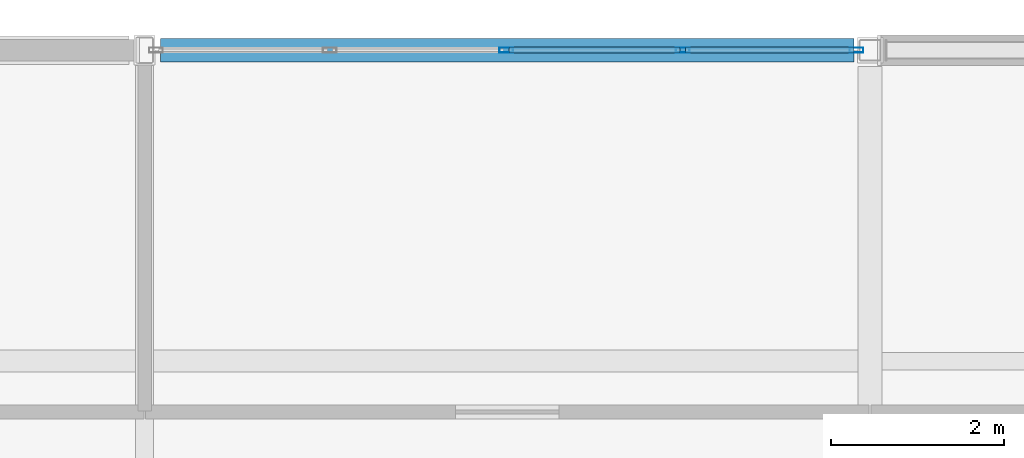
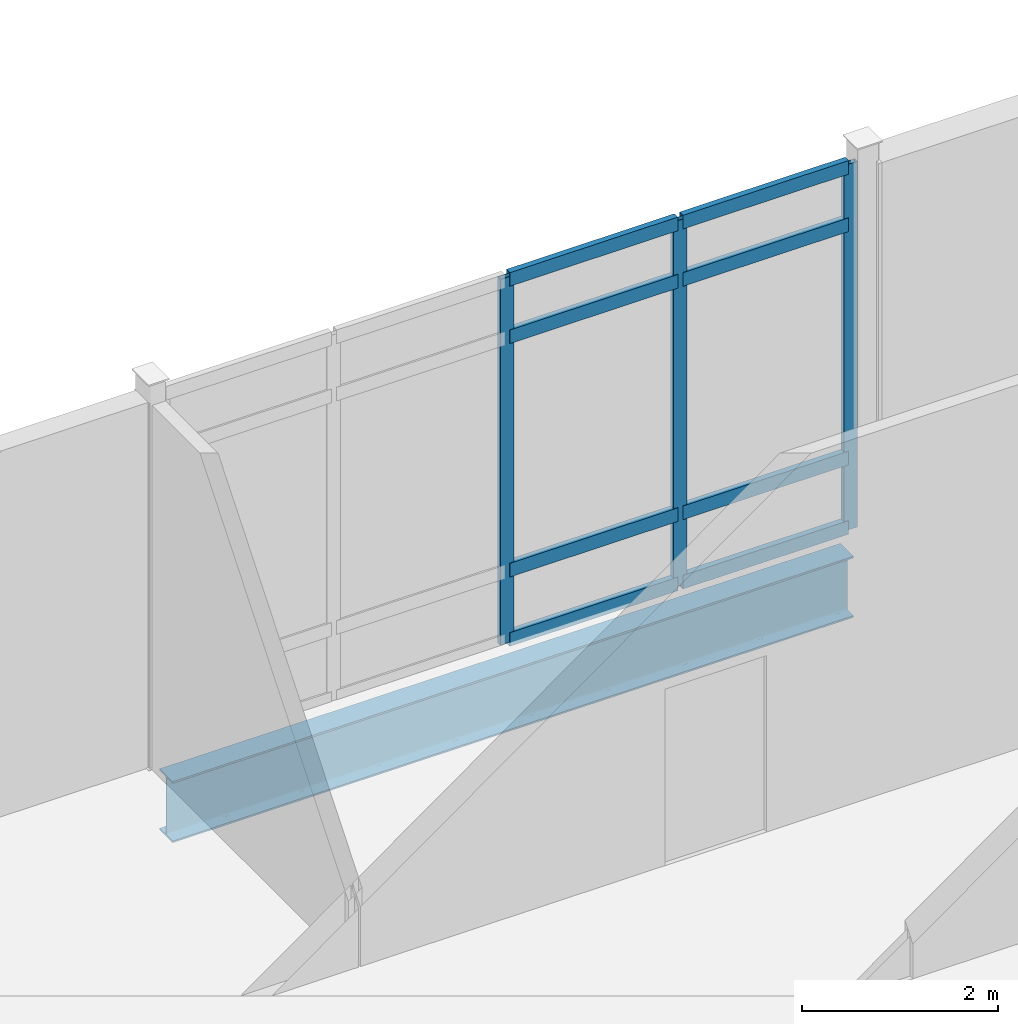
# One storey, part 69 of 153: 11 members, 1 beam, 1 element without a shape of its own.
"""IFC4 building model written with IfcOpenShell, lengths in metres."""

from ifc_helpers import new_model, si_unit, direction, frame, origin, origin_2d, place, context, subcontext, project, spatial, hollow_rectangle, i_section, extrude, material, layer, layer_set, material_profile, profile_set, type_object, element, aggregate, save


model = new_model("IFC4")

# Units and contexts
model_context = context("Model", 3, precision=1e-05, world=origin(), true_north=direction((0.0, 1.0)))
body_context = subcontext(model_context, "Body", "Model", "MODEL_VIEW")
ifc_project = project(units=[si_unit("LENGTHUNIT", "METRE"), si_unit("AREAUNIT", "SQUARE_METRE"), si_unit("VOLUMEUNIT", "CUBIC_METRE"), si_unit("PLANEANGLEUNIT", "RADIAN"), si_unit("MASSUNIT", "GRAM", prefix="KILO")], contexts=[model_context])

# Site, building, storey
site_placement = place(None, origin())
site = spatial("IfcSite", under=ifc_project, at=site_placement, CompositionType="ELEMENT")
building_placement = place(site_placement, origin())
building = spatial("IfcBuilding", under=site, at=building_placement, Name="Calvrana Isthmian Art Gallery", CompositionType="ELEMENT")
storey_placement = place(building_placement, frame((0.0, 0.0, 10.199951171875)))
storey = spatial("IfcBuildingStorey", under=building, at=storey_placement, Name="L02", CompositionType="ELEMENT", Elevation=10.199951171875)

# Beam
ifc_material_1 = material(Name="Steel ASTM A992 Gr 50", Category="steel")
ifc_material_profile_1 = material_profile(ifc_material_1, i_section(OverallWidth=0.26708984375, OverallDepth=0.761962890625, WebThickness=0.014404296875, FlangeThickness=0.021484375, FilletRadius=0.02490234375, at=origin_2d()), Name="W30X116")
ifc_profile_set_1 = profile_set([ifc_material_profile_1], Name="Steel ASTM A992 Gr 50")
beam_type = type_object("IfcBeamType", Name="BM-G-W30X116", PredefinedType="BEAM", material=ifc_profile_set_1)
beam_placement = place(storey_placement, frame((38.583984375, 112.800048828125, -0.64599609375), z_axis=(1.0, 0.0, 0.0), x_axis=(0.0, 1.0, 0.0)))
element("IfcBeam", 1, at=beam_placement, inside=storey, type_object=beam_type, Name="Girder X L02 06-07/P", PredefinedType="BEAM", context=body_context, shape_type="SweptSolid", body=[
    extrude(i_section(OverallWidth=0.26708984375, OverallDepth=0.761962890625, WebThickness=0.014404296875, FlangeThickness=0.021484375, FilletRadius=0.02490234375, at=origin_2d()), origin(), (0.0, 0.0, 1.0), 8.029541015625),
])

# Curtain wall, members
ifc_material_2 = material(Name="Anodized bronze aluminium 6063-T6", Category="aluminium")
ifc_layer = layer(ifc_material_2, 0.179931640625, Name="Anodized bronze aluminium 6063-T6")
ifc_layer_set = layer_set([ifc_layer], Name="Anodized bronze aluminium 6063-T6")
curtain_wall_type = type_object("IfcCurtainWallType", Name="CW-UNIT-082X46", PredefinedType="USERDEFINED", material=ifc_layer_set)
curtain_wall_placement = place(storey_placement, origin())
curtain_wall = element("IfcCurtainWall", 2, at=curtain_wall_placement, inside=storey, type_object=curtain_wall_type, Name="Curtain wall CW-163", ObjectType="UNITISED CURTAIN WALL", PredefinedType="USERDEFINED")
ifc_material_profile_2 = material_profile(ifc_material_2, hollow_rectangle(XDim=0.06005859375, YDim=0.159912109375, WallThickness=0.00390625, at=origin_2d()), Name="CWM60X160")
ifc_profile_set_2 = profile_set([ifc_material_profile_2], Name="Anodized bronze aluminium 6063-T6")
member_type_1 = type_object("IfcMemberType", Name="CWM-CWM60X160", PredefinedType="MULLION", material=ifc_profile_set_2)
member_1_placement = place(storey_placement, frame((42.58740234375, 112.800048828125, 0.0), z_axis=(0.0, 0.0, 1.0), x_axis=(0.0, 1.0, 0.0)))
member_1 = element("IfcMember", 3, at=member_1_placement, type_object=member_type_1, Name="CW-163 mullion 3", PredefinedType="MULLION", context=body_context, shape_type="SweptSolid", body=[
    extrude(hollow_rectangle(XDim=0.06005859375, YDim=0.159912109375, WallThickness=0.00390625, at=origin_2d()), origin(), (0.0, 0.0, 1.0), 4.56005859375),
])
member_2_placement = place(storey_placement, frame((44.630126953125, 112.800048828125, 0.0), z_axis=(0.0, 0.0, 1.0), x_axis=(0.0, 1.0, 0.0)))
member_2 = element("IfcMember", 4, at=member_2_placement, type_object=member_type_1, Name="CW-163 mullion 4", PredefinedType="MULLION", context=body_context, shape_type="SweptSolid", body=[
    extrude(hollow_rectangle(XDim=0.06005859375, YDim=0.159912109375, WallThickness=0.00390625, at=origin_2d()), origin(), (0.0, 0.0, 1.0), 4.56005859375),
])
member_3_placement = place(storey_placement, frame((46.64306640625, 112.800048828125, 0.0), z_axis=(0.0, 0.0, 1.0), x_axis=(0.0, 1.0, 0.0)))
member_3 = element("IfcMember", 5, at=member_3_placement, type_object=member_type_1, Name="CW-163 mullion 5", PredefinedType="MULLION", context=body_context, shape_type="SweptSolid", body=[
    extrude(hollow_rectangle(XDim=0.06005859375, YDim=0.159912109375, WallThickness=0.00390625, at=origin_2d()), origin(), (0.0, 0.0, 1.0), 4.56005859375),
])
ifc_material_profile_3 = material_profile(ifc_material_2, hollow_rectangle(XDim=0.070068359375, YDim=0.169921875, WallThickness=0.00439453125, at=origin_2d()), Name="CWT70X170")
ifc_profile_set_3 = profile_set([ifc_material_profile_3], Name="Anodized bronze aluminium 6063-T6")
member_type_2 = type_object("IfcMemberType", Name="CWT-CWT70X170", PredefinedType="USERDEFINED", material=ifc_profile_set_3)
member_4_placement = place(storey_placement, frame((42.6171875, 112.800048828125, 0.03515625), z_axis=(1.0, 0.0, 0.0), x_axis=(0.0, 1.0, 0.0)))
member_4 = element("IfcMember", 6, at=member_4_placement, type_object=member_type_2, Name="CW-163 transom 3.1", ObjectType="TRANSOM", PredefinedType="USERDEFINED", context=body_context, shape_type="SweptSolid", body=[
    extrude(hollow_rectangle(XDim=0.070068359375, YDim=0.169921875, WallThickness=0.00439453125, at=origin_2d()), origin(), (0.0, 0.0, 1.0), 1.98291015625),
])
member_5_placement = place(storey_placement, frame((42.6171875, 112.800048828125, 0.900146484375), z_axis=(1.0, 0.0, 0.0), x_axis=(0.0, 1.0, 0.0)))
member_5 = element("IfcMember", 7, at=member_5_placement, type_object=member_type_2, Name="CW-163 transom 3.2", ObjectType="TRANSOM", PredefinedType="USERDEFINED", context=body_context, shape_type="SweptSolid", body=[
    extrude(hollow_rectangle(XDim=0.070068359375, YDim=0.169921875, WallThickness=0.00439453125, at=origin_2d()), origin(), (0.0, 0.0, 1.0), 1.98291015625),
])
member_6_placement = place(storey_placement, frame((42.6171875, 112.800048828125, 3.81005859375), z_axis=(1.0, 0.0, 0.0), x_axis=(0.0, 1.0, 0.0)))
member_6 = element("IfcMember", 8, at=member_6_placement, type_object=member_type_2, Name="CW-163 transom 3.3", ObjectType="TRANSOM", PredefinedType="USERDEFINED", context=body_context, shape_type="SweptSolid", body=[
    extrude(hollow_rectangle(XDim=0.070068359375, YDim=0.169921875, WallThickness=0.00439453125, at=origin_2d()), origin(), (0.0, 0.0, 1.0), 1.98291015625),
])
member_7_placement = place(storey_placement, frame((42.6171875, 112.800048828125, 4.525146484375), z_axis=(1.0, 0.0, 0.0), x_axis=(0.0, 1.0, 0.0)))
member_7 = element("IfcMember", 9, at=member_7_placement, type_object=member_type_2, Name="CW-163 transom 3.4", ObjectType="TRANSOM", PredefinedType="USERDEFINED", context=body_context, shape_type="SweptSolid", body=[
    extrude(hollow_rectangle(XDim=0.070068359375, YDim=0.169921875, WallThickness=0.00439453125, at=origin_2d()), origin(), (0.0, 0.0, 1.0), 1.98291015625),
])
member_8_placement = place(storey_placement, frame((44.66015625, 112.800048828125, 0.03515625), z_axis=(1.0, 0.0, 0.0), x_axis=(0.0, 1.0, 0.0)))
member_8 = element("IfcMember", 10, at=member_8_placement, type_object=member_type_2, Name="CW-163 transom 4.1", ObjectType="TRANSOM", PredefinedType="USERDEFINED", context=body_context, shape_type="SweptSolid", body=[
    extrude(hollow_rectangle(XDim=0.070068359375, YDim=0.169921875, WallThickness=0.00439453125, at=origin_2d()), origin(), (0.0, 0.0, 1.0), 1.952880859375),
])
member_9_placement = place(storey_placement, frame((44.66015625, 112.800048828125, 0.900146484375), z_axis=(1.0, 0.0, 0.0), x_axis=(0.0, 1.0, 0.0)))
member_9 = element("IfcMember", 11, at=member_9_placement, type_object=member_type_2, Name="CW-163 transom 4.2", ObjectType="TRANSOM", PredefinedType="USERDEFINED", context=body_context, shape_type="SweptSolid", body=[
    extrude(hollow_rectangle(XDim=0.070068359375, YDim=0.169921875, WallThickness=0.00439453125, at=origin_2d()), origin(), (0.0, 0.0, 1.0), 1.952880859375),
])
member_10_placement = place(storey_placement, frame((44.66015625, 112.800048828125, 3.81005859375), z_axis=(1.0, 0.0, 0.0), x_axis=(0.0, 1.0, 0.0)))
member_10 = element("IfcMember", 12, at=member_10_placement, type_object=member_type_2, Name="CW-163 transom 4.3", ObjectType="TRANSOM", PredefinedType="USERDEFINED", context=body_context, shape_type="SweptSolid", body=[
    extrude(hollow_rectangle(XDim=0.070068359375, YDim=0.169921875, WallThickness=0.00439453125, at=origin_2d()), origin(), (0.0, 0.0, 1.0), 1.952880859375),
])
member_11_placement = place(storey_placement, frame((44.66015625, 112.800048828125, 4.525146484375), z_axis=(1.0, 0.0, 0.0), x_axis=(0.0, 1.0, 0.0)))
member_11 = element("IfcMember", 13, at=member_11_placement, type_object=member_type_2, Name="CW-163 transom 4.4", ObjectType="TRANSOM", PredefinedType="USERDEFINED", context=body_context, shape_type="SweptSolid", body=[
    extrude(hollow_rectangle(XDim=0.070068359375, YDim=0.169921875, WallThickness=0.00439453125, at=origin_2d()), origin(), (0.0, 0.0, 1.0), 1.952880859375),
])
aggregate(curtain_wall, [member_1, member_2, member_3, member_4, member_5, member_6, member_7, member_8, member_9, member_10, member_11])

save(model, "model.ifc")
